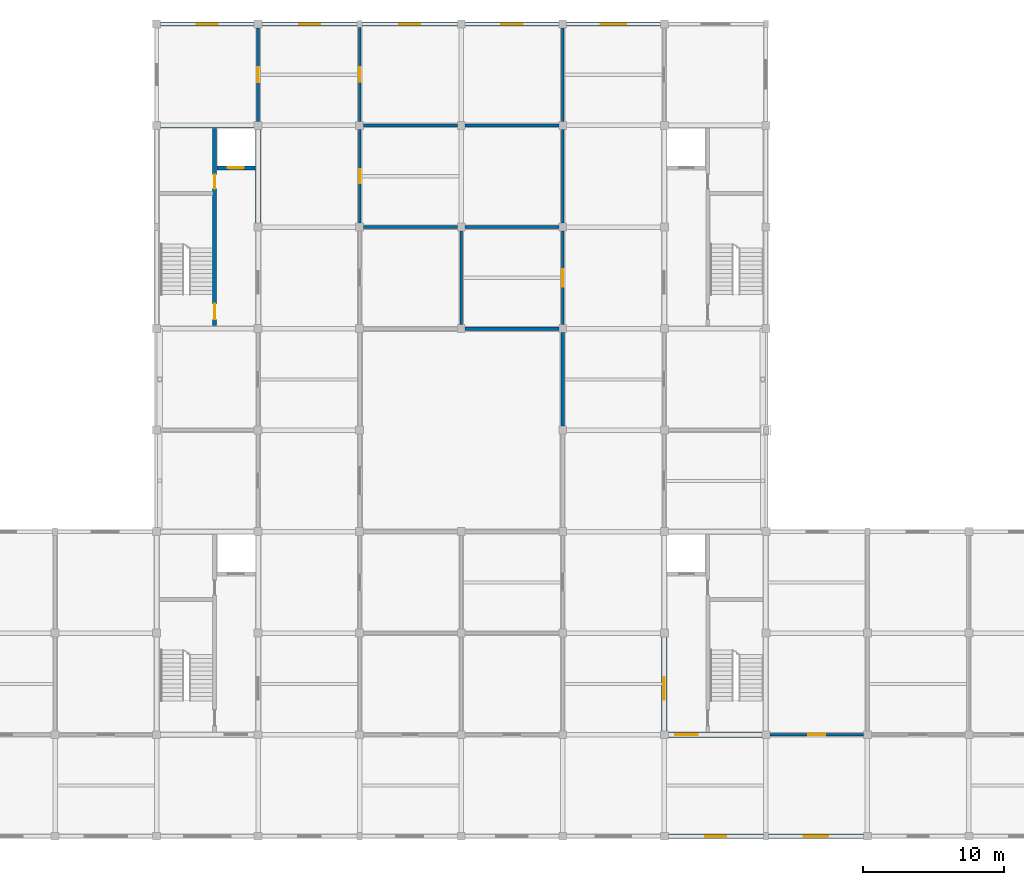
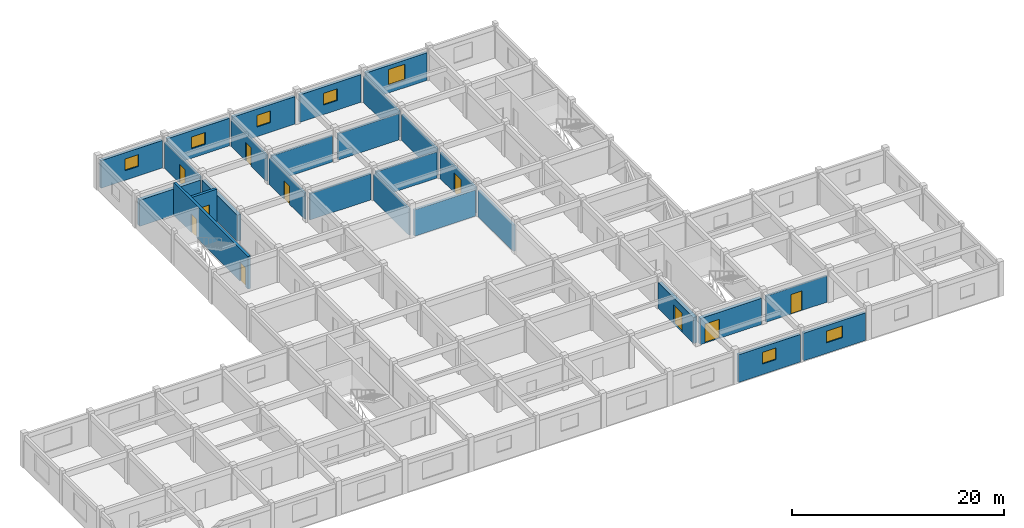
# One storey, part 7 of 10: 27 walls, 10 doors, 7 windows, 17 openings.
"""IFC4 building model written with IfcOpenShell, lengths in metres."""

from ifc_helpers import new_model, si_unit, direction, frame, frame_2d, origin, place, context, subcontext, project, spatial, rectangle, extrude, material, layer, layer_set, type_object, element, fill, save


model = new_model("IFC4")

# Units and contexts
model_context = context("Model", 3, precision=1e-05, world=origin(), true_north=direction((0.0, 1.0)))
body_context = subcontext(model_context, "Body", "Model", "MODEL_VIEW")
ifc_project = project(units=[si_unit("LENGTHUNIT", "METRE"), si_unit("AREAUNIT", "SQUARE_METRE"), si_unit("VOLUMEUNIT", "CUBIC_METRE"), si_unit("PLANEANGLEUNIT", "RADIAN"), si_unit("MASSUNIT", "GRAM", prefix="KILO")], contexts=[model_context])

# Site, building, storey
site_placement = place(None, origin())
site = spatial("IfcSite", under=ifc_project, at=site_placement, CompositionType="ELEMENT")
building_placement = place(site_placement, origin())
building = spatial("IfcBuilding", under=site, at=building_placement, Name="Cendaluz Park School", CompositionType="ELEMENT")
storey_placement = place(building_placement, frame((0.0, 0.0, 38.800048828125)))
storey = spatial("IfcBuildingStorey", under=building, at=storey_placement, Name="L09", CompositionType="ELEMENT", Elevation=38.800048828125)

# Walls
ifc_material_1 = material(Name="Gypsum Plasterboard on Cold-Formed Stud", Category="gypsum")
ifc_layer_1 = layer(ifc_material_1, 0.199951171875)
ifc_layer_set_1 = layer_set([ifc_layer_1], Name="Gypsum Plasterboard on Cold-Formed Stud")
wall_type_1 = type_object("IfcWallType", Name="W-AC20", PredefinedType="PARTITIONING", material=ifc_layer_set_1)
for number, where, z_axis, x_axis, name in (
    (1, (79.47998046875, 50.39990234375, 0.0), (0.0, 0.0, 1.0), (1.0, 0.0, 0.0), "WL-FJ-BM2"),
    (2, (79.47998046875, 57.60009765625, 0.0), (0.0, 0.0, 1.0), (1.0, 0.0, 0.0), "WL-FJ-BM3"),
):
    element("IfcWall", number, at=place(storey_placement, frame(where, z_axis=z_axis, x_axis=x_axis)), inside=storey, type_object=wall_type_1, Name=name, PredefinedType="PARTITIONING", context=body_context, shape_type="SweptSolid", body=[
        extrude(rectangle(XDim=6.64013671875, YDim=0.199951171875, at=frame_2d((3.320068359375, 0.0))), origin(), (0.0, 0.0, 1.0), 3.010009765625),
    ])

# Wall, opening, door
wall_1_placement = place(storey_placement, frame((79.199951171875, 50.679931640625, 0.0), z_axis=(0.0, 0.0, 1.0), x_axis=(0.0, 1.0, 0.0)))
wall_1 = element("IfcWall", 3, at=wall_1_placement, inside=storey, type_object=wall_type_1, Name="WL-FJ-BM4", PredefinedType="PARTITIONING", context=body_context, shape_type="SweptSolid", body=[
    extrude(rectangle(XDim=6.64013671875, YDim=0.199951171875, at=frame_2d((3.320068359375, 0.0))), origin(), (0.0, 0.0, 1.0), 3.010009765625),
])
opening_1_placement = place(wall_1_placement, frame((2.81005859375, 0.0, 0.0)))
opening_1 = element("IfcOpeningElement", 4, at=opening_1_placement, cuts=wall_1, Name="Opening DCL-02", PredefinedType="OPENING", context=body_context, shape_type="SweptSolid", body=[
    extrude(rectangle(XDim=1.02001953125, YDim=2.1201171875, at=frame_2d((0.510009765625, 1.06005859375))), frame((0.0, 0.112060546875, 0.0), z_axis=(0.0, -1.0, 0.0), x_axis=(1.0, 0.0, 0.0)), (0.0, 0.0, 1.0), 0.223876953125),
])
ifc_material_2 = material(Name="Solid Core Hardwood", Category="wood")
door_type_1 = type_object("IfcDoorType", Name="DCL-02", OperationType="NOTDEFINED", PredefinedType="DOOR", material=ifc_material_2)
door_1_placement = place(opening_1_placement, frame((1.02001953125, 0.0, 0.0), z_axis=(0.0, 0.0, 1.0), x_axis=(-1.0, 0.0, 0.0)))
door_1 = element("IfcDoor", 5, at=door_1_placement, inside=storey, type_object=door_type_1, Name="D-L09-020", OperationType="SINGLE_SWING_RIGHT", OverallHeight=2.1201171875, OverallWidth=1.02001953125, PredefinedType="DOOR", context=body_context, shape_type="SweptSolid", body=[
    extrude(rectangle(XDim=1.02001953125, YDim=2.1201171875, at=frame_2d((0.510009765625, 1.06005859375))), frame((0.0, 0.02490234375, 0.0), z_axis=(0.0, -1.0, 0.0), x_axis=(1.0, 0.0, 0.0)), (0.0, 0.0, 1.0), 0.050048828125),
])
fill(opening_1, door_1)

# Walls
for number, where, z_axis, x_axis, name in (
    (6, (86.679931640625, 50.39990234375, 0.0), (0.0, 0.0, 1.0), (1.0, 0.0, 0.0), "WL-FJ-BM5"),
    (7, (86.679931640625, 57.60009765625, 0.0), (0.0, 0.0, 1.0), (1.0, 0.0, 0.0), "WL-FJ-BM6"),
    (8, (93.60009765625, 50.679931640625, 0.0), (0.0, 0.0, 1.0), (0.0, 1.0, 0.0), "WL-FJ-BM7"),
):
    element("IfcWall", number, at=place(storey_placement, frame(where, z_axis=z_axis, x_axis=x_axis)), inside=storey, type_object=wall_type_1, Name=name, PredefinedType="PARTITIONING", context=body_context, shape_type="SweptSolid", body=[
        extrude(rectangle(XDim=6.64013671875, YDim=0.199951171875, at=frame_2d((3.320068359375, 0.0))), origin(), (0.0, 0.0, 1.0), 3.010009765625),
    ])

# Wall, opening, door
wall_2_placement = place(storey_placement, frame((79.199951171875, 57.8798828125, 0.0), z_axis=(0.0, 0.0, 1.0), x_axis=(0.0, 1.0, 0.0)))
wall_2 = element("IfcWall", 9, at=wall_2_placement, inside=storey, type_object=wall_type_1, Name="WL-FJ-BM8", PredefinedType="PARTITIONING", context=body_context, shape_type="SweptSolid", body=[
    extrude(rectangle(XDim=6.66015625, YDim=0.199951171875, at=frame_2d((3.330078125, 0.0))), origin(), (0.0, 0.0, 1.0), 3.010009765625),
])
opening_2_placement = place(wall_2_placement, frame((2.81005859375, 0.0, 0.0)))
opening_2 = element("IfcOpeningElement", 10, at=opening_2_placement, cuts=wall_2, Name="Opening DCL-03", PredefinedType="OPENING", context=body_context, shape_type="SweptSolid", body=[
    extrude(rectangle(XDim=1.0400390625, YDim=2.139892578125, at=frame_2d((0.52001953125, 1.06982421875))), frame((0.0, 0.112060546875, 0.0), z_axis=(0.0, -1.0, 0.0), x_axis=(1.0, 0.0, 0.0)), (0.0, 0.0, 1.0), 0.223876953125),
])
door_type_2 = type_object("IfcDoorType", Name="DCL-03", OperationType="NOTDEFINED", PredefinedType="DOOR", material=ifc_material_2)
door_2_placement = place(opening_2_placement, frame((1.0400390625, 0.0, 0.0), z_axis=(0.0, 0.0, 1.0), x_axis=(-1.0, 0.0, 0.0)))
door_2 = element("IfcDoor", 11, at=door_2_placement, inside=storey, type_object=door_type_2, Name="D-L09-021", OperationType="SINGLE_SWING_LEFT", OverallHeight=2.139892578125, OverallWidth=1.0400390625, PredefinedType="DOOR", context=body_context, shape_type="SweptSolid", body=[
    extrude(rectangle(XDim=1.0400390625, YDim=2.139892578125, at=frame_2d((0.52001953125, 1.06982421875))), frame((0.0, 0.02490234375, 0.0), z_axis=(0.0, -1.0, 0.0), x_axis=(1.0, 0.0, 0.0)), (0.0, 0.0, 1.0), 0.050048828125),
])
fill(opening_2, door_2)

# Wall
wall_3_placement = place(storey_placement, frame((93.60009765625, 57.8798828125, 0.0), z_axis=(0.0, 0.0, 1.0), x_axis=(0.0, 1.0, 0.0)))
element("IfcWall", 12, at=wall_3_placement, inside=storey, type_object=wall_type_1, Name="WL-FJ-BM9", PredefinedType="PARTITIONING", context=body_context, shape_type="SweptSolid", body=[
    extrude(rectangle(XDim=6.64013671875, YDim=0.199951171875, at=frame_2d((3.320068359375, 0.0))), origin(), (0.0, 0.0, 1.0), 3.010009765625),
])

# Wall, opening, door
wall_4_placement = place(storey_placement, frame((108.280029296875, 14.39990234375, 0.0), z_axis=(0.0, 0.0, 1.0), x_axis=(1.0, 0.0, 0.0)))
wall_4 = element("IfcWall", 13, at=wall_4_placement, inside=storey, type_object=wall_type_1, Name="WL-FJ-BO0", PredefinedType="PARTITIONING", context=body_context, shape_type="SweptSolid", body=[
    extrude(rectangle(XDim=6.639892578125, YDim=0.199951171875, at=frame_2d((3.31982421875, 0.0))), origin(), (0.0, 0.0, 1.0), 3.010009765625),
])
opening_3_placement = place(wall_4_placement, frame((2.719970703125, 0.0, 0.0)))
opening_3 = element("IfcOpeningElement", 14, at=opening_3_placement, cuts=wall_4, Name="Opening DCL-08", PredefinedType="OPENING", context=body_context, shape_type="SweptSolid", body=[
    extrude(rectangle(XDim=1.199951171875, YDim=2.239990234375, at=frame_2d((0.60009765625, 1.1201171875))), frame((0.0, 0.112060546875, 0.0), z_axis=(0.0, -1.0, 0.0), x_axis=(1.0, 0.0, 0.0)), (0.0, 0.0, 1.0), 0.223876953125),
])
door_type_3 = type_object("IfcDoorType", Name="DCL-08", OperationType="NOTDEFINED", PredefinedType="DOOR", material=ifc_material_2)
door_3_placement = place(opening_3_placement, origin())
door_3 = element("IfcDoor", 15, at=door_3_placement, inside=storey, type_object=door_type_3, Name="D-L09-026", OperationType="SINGLE_SWING_RIGHT", OverallHeight=2.239990234375, OverallWidth=1.199951171875, PredefinedType="DOOR", context=body_context, shape_type="SweptSolid", body=[
    extrude(rectangle(XDim=1.199951171875, YDim=2.239990234375, at=frame_2d((0.60009765625, 1.1201171875))), frame((0.0, 0.02490234375, 0.0), z_axis=(0.0, -1.0, 0.0), x_axis=(1.0, 0.0, 0.0)), (0.0, 0.0, 1.0), 0.050048828125),
])
fill(opening_3, door_3)

wall_5_placement = place(storey_placement, frame((72.0, 57.8798828125, 0.0), z_axis=(0.0, 0.0, 1.0), x_axis=(0.0, 1.0, 0.0)))
wall_5 = element("IfcWall", 16, at=wall_5_placement, inside=storey, type_object=wall_type_1, Name="WL-FJ-BP0", PredefinedType="PARTITIONING", context=body_context, shape_type="SweptSolid", body=[
    extrude(rectangle(XDim=6.64013671875, YDim=0.199951171875, at=frame_2d((3.320068359375, 0.0))), origin(), (0.0, 0.0, 1.0), 3.010009765625),
])
opening_4_placement = place(wall_5_placement, frame((2.800048828125, 0.0, 0.0)))
opening_4 = element("IfcOpeningElement", 17, at=opening_4_placement, cuts=wall_5, Name="Opening DCL-03", PredefinedType="OPENING", context=body_context, shape_type="SweptSolid", body=[
    extrude(rectangle(XDim=1.0400390625, YDim=2.139892578125, at=frame_2d((0.52001953125, 1.06982421875))), frame((0.0, 0.112060546875, 0.0), z_axis=(0.0, -1.0, 0.0), x_axis=(1.0, 0.0, 0.0)), (0.0, 0.0, 1.0), 0.223876953125),
])
door_4_placement = place(opening_4_placement, origin())
door_4 = element("IfcDoor", 18, at=door_4_placement, inside=storey, type_object=door_type_2, Name="D-L09-031", OperationType="SINGLE_SWING_LEFT", OverallHeight=2.139892578125, OverallWidth=1.0400390625, PredefinedType="DOOR", context=body_context, shape_type="SweptSolid", body=[
    extrude(rectangle(XDim=1.0400390625, YDim=2.139892578125, at=frame_2d((0.52001953125, 1.06982421875))), frame((0.0, 0.02490234375, 0.0), z_axis=(0.0, -1.0, 0.0), x_axis=(1.0, 0.0, 0.0)), (0.0, 0.0, 1.0), 0.050048828125),
])
fill(opening_4, door_4)

# Wall
wall_6_placement = place(storey_placement, frame((86.39990234375, 43.47998046875, 0.0), z_axis=(0.0, 0.0, 1.0), x_axis=(0.0, 1.0, 0.0)))
element("IfcWall", 19, at=wall_6_placement, inside=storey, type_object=wall_type_1, Name="WL-FJ-BP8", PredefinedType="PARTITIONING", context=body_context, shape_type="SweptSolid", body=[
    extrude(rectangle(XDim=6.64013671875, YDim=0.199951171875, at=frame_2d((3.320068359375, 0.0))), origin(), (0.0, 0.0, 1.0), 3.010009765625),
])

# Wall, opening, door
wall_7_placement = place(storey_placement, frame((93.60009765625, 43.47998046875, 0.0), z_axis=(0.0, 0.0, 1.0), x_axis=(0.0, 1.0, 0.0)))
wall_7 = element("IfcWall", 20, at=wall_7_placement, inside=storey, type_object=wall_type_1, Name="WL-FJ-BQ3", PredefinedType="PARTITIONING", context=body_context, shape_type="SweptSolid", body=[
    extrude(rectangle(XDim=6.64013671875, YDim=0.199951171875, at=frame_2d((3.320068359375, 0.0))), origin(), (0.0, 0.0, 1.0), 3.010009765625),
])
opening_5_placement = place(wall_7_placement, frame((2.699951171875, 0.0, 0.0)))
opening_5 = element("IfcOpeningElement", 21, at=opening_5_placement, cuts=wall_7, Name="Opening DCL-09", PredefinedType="OPENING", context=body_context, shape_type="SweptSolid", body=[
    extrude(rectangle(XDim=1.239990234375, YDim=2.260009765625, at=frame_2d((0.6201171875, 1.1298828125))), frame((0.0, 0.112060546875, 0.0), z_axis=(0.0, -1.0, 0.0), x_axis=(1.0, 0.0, 0.0)), (0.0, 0.0, 1.0), 0.223876953125),
])
door_type_4 = type_object("IfcDoorType", Name="DCL-09", OperationType="NOTDEFINED", PredefinedType="DOOR", material=ifc_material_2)
door_5_placement = place(opening_5_placement, origin())
door_5 = element("IfcDoor", 22, at=door_5_placement, inside=storey, type_object=door_type_4, Name="D-L09-037", OperationType="SINGLE_SWING_LEFT", OverallHeight=2.260009765625, OverallWidth=1.239990234375, PredefinedType="DOOR", context=body_context, shape_type="SweptSolid", body=[
    extrude(rectangle(XDim=1.239990234375, YDim=2.260009765625, at=frame_2d((0.6201171875, 1.1298828125))), frame((0.0, 0.02490234375, 0.0), z_axis=(0.0, -1.0, 0.0), x_axis=(1.0, 0.0, 0.0)), (0.0, 0.0, 1.0), 0.050048828125),
])
fill(opening_5, door_5)

# Walls
ifc_layer_2 = layer(ifc_material_1, 0.25)
ifc_layer_set_2 = layer_set([ifc_layer_2], Name="Gypsum Plasterboard on Cold-Formed Stud")
wall_type_2 = type_object("IfcWallType", Name="W-CP25", PredefinedType="PARTITIONING", material=ifc_layer_set_2)
wall_8_placement = place(storey_placement, frame((86.679931640625, 43.199951171875, 0.0), z_axis=(0.0, 0.0, 1.0), x_axis=(1.0, 0.0, 0.0)))
element("IfcWall", 23, at=wall_8_placement, inside=storey, type_object=wall_type_2, Name="WL-FJ-BM0", PredefinedType="PARTITIONING", context=body_context, shape_type="SweptSolid", body=[
    extrude(rectangle(XDim=6.64013671875, YDim=0.25, at=frame_2d((3.320068359375, 0.0))), origin(), (0.0, 0.0, 1.0), 3.010009765625),
])
wall_9_placement = place(storey_placement, frame((93.60009765625, 36.280029296875, 0.0), z_axis=(0.0, 0.0, 1.0), x_axis=(0.0, 1.0, 0.0)))
element("IfcWall", 24, at=wall_9_placement, inside=storey, type_object=wall_type_2, Name="WL-FJ-BM1", PredefinedType="PARTITIONING", context=body_context, shape_type="SweptSolid", body=[
    extrude(rectangle(XDim=6.639892578125, YDim=0.25, at=frame_2d((3.31982421875, 0.0))), origin(), (0.0, 0.0, 1.0), 3.010009765625),
])

# Wall, opening, window
ifc_material_3 = material(Name="Cross-laminated timber CLT C24", Category="wood")
ifc_layer_3 = layer(ifc_material_3, 0.300048828125)
ifc_layer_set_3 = layer_set([ifc_layer_3], Name="Cross-laminated timber CLT C24")
wall_type_3 = type_object("IfcWallType", Name="W-EX30", PredefinedType="SOLIDWALL", material=ifc_layer_set_3)
wall_10_placement = place(storey_placement, frame((65.080078125, 64.800048828125, 0.0), z_axis=(0.0, 0.0, 1.0), x_axis=(1.0, 0.0, 0.0)))
wall_10 = element("IfcWall", 25, at=wall_10_placement, inside=storey, type_object=wall_type_3, Name="WL-FJ-AB4", PredefinedType="SOLIDWALL", context=body_context, shape_type="SweptSolid", body=[
    extrude(rectangle(XDim=6.639892578125, YDim=0.300048828125, at=frame_2d((3.31982421875, 0.0))), origin(), (0.0, 0.0, 1.0), 3.169921875),
])
opening_6_placement = place(wall_10_placement, frame((2.570068359375, 0.0, 1.10009765625)))
opening_6 = element("IfcOpeningElement", 26, at=opening_6_placement, cuts=wall_10, Name="Opening WN-20", PredefinedType="OPENING", context=body_context, shape_type="SweptSolid", body=[
    extrude(rectangle(XDim=1.5, YDim=1.35009765625, at=frame_2d((0.75, 0.675048828125))), frame((0.0, 0.162109375, 0.0), z_axis=(0.0, -1.0, 0.0), x_axis=(1.0, 0.0, 0.0)), (0.0, 0.0, 1.0), 0.323974609375),
])
ifc_material_4 = material(Name="Tempered Low-E Double Glazing", Category="glass")
window_type_1 = type_object("IfcWindowType", Name="WN-20", PartitioningType="SINGLE_PANEL", PredefinedType="WINDOW", material=ifc_material_4)
window_1_placement = place(opening_6_placement, origin())
window_1 = element("IfcWindow", 27, at=window_1_placement, inside=storey, type_object=window_type_1, Name="WN-L09-013", OverallHeight=1.35009765625, OverallWidth=1.5, PartitioningType="SINGLE_PANEL", PredefinedType="WINDOW", context=body_context, shape_type="SweptSolid", body=[
    extrude(rectangle(XDim=1.5, YDim=1.35009765625, at=frame_2d((0.75, 0.675048828125))), frame((0.0, 0.030029296875, 0.0), z_axis=(0.0, -1.0, 0.0), x_axis=(1.0, 0.0, 0.0)), (0.0, 0.0, 1.0), 0.06005859375),
])
fill(opening_6, window_1)

wall_11_placement = place(storey_placement, frame((72.280029296875, 64.800048828125, 0.0), z_axis=(0.0, 0.0, 1.0), x_axis=(1.0, 0.0, 0.0)))
wall_11 = element("IfcWall", 28, at=wall_11_placement, inside=storey, type_object=wall_type_3, Name="WL-FJ-AB7", PredefinedType="SOLIDWALL", context=body_context, shape_type="SweptSolid", body=[
    extrude(rectangle(XDim=6.739990234375, YDim=0.300048828125, at=frame_2d((3.3701171875, 0.0))), origin(), (0.0, 0.0, 1.0), 3.169921875),
])
opening_7_placement = place(wall_11_placement, frame((2.6201171875, 0.0, 1.10009765625)))
opening_7 = element("IfcOpeningElement", 29, at=opening_7_placement, cuts=wall_11, Name="Opening WN-20", PredefinedType="OPENING", context=body_context, shape_type="SweptSolid", body=[
    extrude(rectangle(XDim=1.5, YDim=1.35009765625, at=frame_2d((0.75, 0.675048828125))), frame((0.0, 0.162109375, 0.0), z_axis=(0.0, -1.0, 0.0), x_axis=(1.0, 0.0, 0.0)), (0.0, 0.0, 1.0), 0.323974609375),
])
window_2_placement = place(opening_7_placement, origin())
window_2 = element("IfcWindow", 30, at=window_2_placement, inside=storey, type_object=window_type_1, Name="WN-L09-016", OverallHeight=1.35009765625, OverallWidth=1.5, PartitioningType="SINGLE_PANEL", PredefinedType="WINDOW", context=body_context, shape_type="SweptSolid", body=[
    extrude(rectangle(XDim=1.5, YDim=1.35009765625, at=frame_2d((0.75, 0.675048828125))), frame((0.0, 0.030029296875, 0.0), z_axis=(0.0, -1.0, 0.0), x_axis=(1.0, 0.0, 0.0)), (0.0, 0.0, 1.0), 0.06005859375),
])
fill(opening_7, window_2)

wall_12_placement = place(storey_placement, frame((79.3798828125, 64.800048828125, 0.0), z_axis=(0.0, 0.0, 1.0), x_axis=(1.0, 0.0, 0.0)))
wall_12 = element("IfcWall", 31, at=wall_12_placement, inside=storey, type_object=wall_type_3, Name="WL-FJ-AB9", PredefinedType="SOLIDWALL", context=body_context, shape_type="SweptSolid", body=[
    extrude(rectangle(XDim=6.740234375, YDim=0.300048828125, at=frame_2d((3.3701171875, 0.0))), origin(), (0.0, 0.0, 1.0), 3.169921875),
])
opening_8_placement = place(wall_12_placement, frame((2.6201171875, 0.0, 1.10009765625)))
opening_8 = element("IfcOpeningElement", 32, at=opening_8_placement, cuts=wall_12, Name="Opening WN-20", PredefinedType="OPENING", context=body_context, shape_type="SweptSolid", body=[
    extrude(rectangle(XDim=1.5, YDim=1.35009765625, at=frame_2d((0.75, 0.675048828125))), frame((0.0, 0.162109375, 0.0), z_axis=(0.0, -1.0, 0.0), x_axis=(1.0, 0.0, 0.0)), (0.0, 0.0, 1.0), 0.323974609375),
])
window_3_placement = place(opening_8_placement, origin())
window_3 = element("IfcWindow", 33, at=window_3_placement, inside=storey, type_object=window_type_1, Name="WN-L09-018", OverallHeight=1.35009765625, OverallWidth=1.5, PartitioningType="SINGLE_PANEL", PredefinedType="WINDOW", context=body_context, shape_type="SweptSolid", body=[
    extrude(rectangle(XDim=1.5, YDim=1.35009765625, at=frame_2d((0.75, 0.675048828125))), frame((0.0, 0.030029296875, 0.0), z_axis=(0.0, -1.0, 0.0), x_axis=(1.0, 0.0, 0.0)), (0.0, 0.0, 1.0), 0.06005859375),
])
fill(opening_8, window_3)

wall_13_placement = place(storey_placement, frame((86.679931640625, 64.800048828125, 0.0), z_axis=(0.0, 0.0, 1.0), x_axis=(1.0, 0.0, 0.0)))
wall_13 = element("IfcWall", 34, at=wall_13_placement, inside=storey, type_object=wall_type_3, Name="WL-FJ-AC1", PredefinedType="SOLIDWALL", context=body_context, shape_type="SweptSolid", body=[
    extrude(rectangle(XDim=6.64013671875, YDim=0.300048828125, at=frame_2d((3.320068359375, 0.0))), origin(), (0.0, 0.0, 1.0), 3.169921875),
])
opening_9_placement = place(wall_13_placement, frame((2.570068359375, 0.0, 1.10009765625)))
opening_9 = element("IfcOpeningElement", 35, at=opening_9_placement, cuts=wall_13, Name="Opening WN-20", PredefinedType="OPENING", context=body_context, shape_type="SweptSolid", body=[
    extrude(rectangle(XDim=1.5, YDim=1.35009765625, at=frame_2d((0.75, 0.675048828125))), frame((0.0, 0.162109375, 0.0), z_axis=(0.0, -1.0, 0.0), x_axis=(1.0, 0.0, 0.0)), (0.0, 0.0, 1.0), 0.323974609375),
])
window_4_placement = place(opening_9_placement, origin())
window_4 = element("IfcWindow", 36, at=window_4_placement, inside=storey, type_object=window_type_1, Name="WN-L09-020", OverallHeight=1.35009765625, OverallWidth=1.5, PartitioningType="SINGLE_PANEL", PredefinedType="WINDOW", context=body_context, shape_type="SweptSolid", body=[
    extrude(rectangle(XDim=1.5, YDim=1.35009765625, at=frame_2d((0.75, 0.675048828125))), frame((0.0, 0.030029296875, 0.0), z_axis=(0.0, -1.0, 0.0), x_axis=(1.0, 0.0, 0.0)), (0.0, 0.0, 1.0), 0.06005859375),
])
fill(opening_9, window_4)

wall_14_placement = place(storey_placement, frame((93.8798828125, 64.800048828125, 0.0), z_axis=(0.0, 0.0, 1.0), x_axis=(1.0, 0.0, 0.0)))
wall_14 = element("IfcWall", 37, at=wall_14_placement, inside=storey, type_object=wall_type_3, Name="WL-FJ-AC3", PredefinedType="SOLIDWALL", context=body_context, shape_type="SweptSolid", body=[
    extrude(rectangle(XDim=6.64013671875, YDim=0.300048828125, at=frame_2d((3.320068359375, 0.0))), origin(), (0.0, 0.0, 1.0), 3.169921875),
])
opening_10_placement = place(wall_14_placement, frame((2.419921875, 0.0, 0.89990234375)))
opening_10 = element("IfcOpeningElement", 38, at=opening_10_placement, cuts=wall_14, Name="Opening WN-01", PredefinedType="OPENING", context=body_context, shape_type="SweptSolid", body=[
    extrude(rectangle(XDim=1.800048828125, YDim=1.800048828125, at=frame_2d((0.89990234375, 0.89990234375))), frame((0.0, 0.162109375, 0.0), z_axis=(0.0, -1.0, 0.0), x_axis=(1.0, 0.0, 0.0)), (0.0, 0.0, 1.0), 0.323974609375),
])
window_type_2 = type_object("IfcWindowType", Name="WN-01", PartitioningType="SINGLE_PANEL", PredefinedType="WINDOW", material=ifc_material_4)
window_5_placement = place(opening_10_placement, origin())
window_5 = element("IfcWindow", 39, at=window_5_placement, inside=storey, type_object=window_type_2, Name="WN-L09-022", OverallHeight=1.800048828125, OverallWidth=1.800048828125, PartitioningType="SINGLE_PANEL", PredefinedType="WINDOW", context=body_context, shape_type="SweptSolid", body=[
    extrude(rectangle(XDim=1.800048828125, YDim=1.800048828125, at=frame_2d((0.89990234375, 0.89990234375))), frame((0.0, 0.030029296875, 0.0), z_axis=(0.0, -1.0, 0.0), x_axis=(1.0, 0.0, 0.0)), (0.0, 0.0, 1.0), 0.06005859375),
])
fill(opening_10, window_5)

wall_15_placement = place(storey_placement, frame((101.080078125, 7.199951171875, 0.0), z_axis=(0.0, 0.0, 1.0), x_axis=(1.0, 0.0, 0.0)))
wall_15 = element("IfcWall", 40, at=wall_15_placement, inside=storey, type_object=wall_type_3, Name="WL-FJ-AC4", PredefinedType="SOLIDWALL", context=body_context, shape_type="SweptSolid", body=[
    extrude(rectangle(XDim=6.739990234375, YDim=0.300048828125, at=frame_2d((3.3701171875, 0.0))), origin(), (0.0, 0.0, 1.0), 3.169921875),
])
opening_11_placement = place(wall_15_placement, frame((2.6201171875, 0.0, 1.199951171875)))
opening_11 = element("IfcOpeningElement", 41, at=opening_11_placement, cuts=wall_15, Name="Opening WN-20", PredefinedType="OPENING", context=body_context, shape_type="SweptSolid", body=[
    extrude(rectangle(XDim=1.5, YDim=1.35009765625, at=frame_2d((0.75, 0.675048828125))), frame((0.0, 0.162109375, 0.0), z_axis=(0.0, -1.0, 0.0), x_axis=(1.0, 0.0, 0.0)), (0.0, 0.0, 1.0), 0.323974609375),
])
window_6_placement = place(opening_11_placement, origin())
window_6 = element("IfcWindow", 42, at=window_6_placement, inside=storey, type_object=window_type_1, Name="WN-L09-023", OverallHeight=1.35009765625, OverallWidth=1.5, PartitioningType="SINGLE_PANEL", PredefinedType="WINDOW", context=body_context, shape_type="SweptSolid", body=[
    extrude(rectangle(XDim=1.5, YDim=1.35009765625, at=frame_2d((0.75, 0.675048828125))), frame((0.0, 0.030029296875, 0.0), z_axis=(0.0, -1.0, 0.0), x_axis=(1.0, 0.0, 0.0)), (0.0, 0.0, 1.0), 0.06005859375),
])
fill(opening_11, window_6)

wall_16_placement = place(storey_placement, frame((108.179931640625, 7.199951171875, 0.0), z_axis=(0.0, 0.0, 1.0), x_axis=(1.0, 0.0, 0.0)))
wall_16 = element("IfcWall", 43, at=wall_16_placement, inside=storey, type_object=wall_type_3, Name="WL-FJ-AC9", PredefinedType="SOLIDWALL", context=body_context, shape_type="SweptSolid", body=[
    extrude(rectangle(XDim=6.739990234375, YDim=0.300048828125, at=frame_2d((3.3701171875, 0.0))), origin(), (0.0, 0.0, 1.0), 3.169921875),
])
opening_12_placement = place(wall_16_placement, frame((2.4951171875, 0.0, 1.199951171875)))
opening_12 = element("IfcOpeningElement", 44, at=opening_12_placement, cuts=wall_16, Name="Opening WN-21", PredefinedType="OPENING", context=body_context, shape_type="SweptSolid", body=[
    extrude(rectangle(XDim=1.75, YDim=1.35009765625, at=frame_2d((0.875, 0.675048828125))), frame((0.0, 0.162109375, 0.0), z_axis=(0.0, -1.0, 0.0), x_axis=(1.0, 0.0, 0.0)), (0.0, 0.0, 1.0), 0.323974609375),
])
window_type_3 = type_object("IfcWindowType", Name="WN-21", PartitioningType="SINGLE_PANEL", PredefinedType="WINDOW", material=ifc_material_4)
window_7_placement = place(opening_12_placement, origin())
window_7 = element("IfcWindow", 45, at=window_7_placement, inside=storey, type_object=window_type_3, Name="WN-L09-026", OverallHeight=1.35009765625, OverallWidth=1.75, PartitioningType="SINGLE_PANEL", PredefinedType="WINDOW", context=body_context, shape_type="SweptSolid", body=[
    extrude(rectangle(XDim=1.75, YDim=1.35009765625, at=frame_2d((0.875, 0.675048828125))), frame((0.0, 0.030029296875, 0.0), z_axis=(0.0, -1.0, 0.0), x_axis=(1.0, 0.0, 0.0)), (0.0, 0.0, 1.0), 0.06005859375),
])
fill(opening_12, window_7)

# Wall, openings, doors
ifc_material_5 = material(Name="Concrete C40/50", Category="concrete")
ifc_layer_4 = layer(ifc_material_5, 0.280029296875)
ifc_layer_set_4 = layer_set([ifc_layer_4], Name="Concrete C40/50")
wall_type_4 = type_object("IfcWallType", Name="W-FW28", PredefinedType="SHEAR", material=ifc_layer_set_4)
wall_17_placement = place(storey_placement, frame((68.919921875, 43.39990234375, 0.0), z_axis=(0.0, 0.0, 1.0), x_axis=(0.0, 1.0, 0.0)))
wall_17 = element("IfcWall", 46, at=wall_17_placement, inside=storey, type_object=wall_type_4, Name="WL-FJ-BK2", PredefinedType="SHEAR", context=body_context, shape_type="SweptSolid", body=[
    extrude(rectangle(XDim=14.0, YDim=0.280029296875, at=frame_2d((7.0, 0.0))), origin(), (0.0, 0.0, 1.0), 3.739990234375),
])
opening_13_placement = place(wall_17_placement, frame((0.449951171875, 0.0, 0.0)))
opening_13 = element("IfcOpeningElement", 47, at=opening_13_placement, cuts=wall_17, Name="Opening DST-01", PredefinedType="OPENING", context=body_context, shape_type="SweptSolid", body=[
    extrude(rectangle(XDim=1.10009765625, YDim=2.14990234375, at=frame_2d((0.550048828125, 1.074951171875))), frame((0.0, 0.152099609375, 0.0), z_axis=(0.0, -1.0, 0.0), x_axis=(1.0, 0.0, 0.0)), (0.0, 0.0, 1.0), 0.303955078125),
])
opening_14_placement = place(wall_17_placement, frame((9.719970703125, 0.0, 0.0)))
opening_14 = element("IfcOpeningElement", 48, at=opening_14_placement, cuts=wall_17, Name="Opening DFC-01", PredefinedType="OPENING", context=body_context, shape_type="SweptSolid", body=[
    extrude(rectangle(XDim=1.0, YDim=2.14990234375, at=frame_2d((0.5, 1.074951171875))), frame((0.0, 0.152099609375, 0.0), z_axis=(0.0, -1.0, 0.0), x_axis=(1.0, 0.0, 0.0)), (0.0, 0.0, 1.0), 0.303955078125),
])
door_type_5 = type_object("IfcDoorType", Name="DFC-01", OperationType="NOTDEFINED", PredefinedType="DOOR", material=ifc_material_2)
door_6_placement = place(opening_14_placement, origin())
door_6 = element("IfcDoor", 49, at=door_6_placement, inside=storey, type_object=door_type_5, Name="D-L09-013", OperationType="SINGLE_SWING_LEFT", OverallHeight=2.14990234375, OverallWidth=1.0, PredefinedType="DOOR", context=body_context, shape_type="SweptSolid", body=[
    extrude(rectangle(XDim=1.0, YDim=2.14990234375, at=frame_2d((0.5, 1.074951171875))), frame((0.0, 0.02490234375, 0.0), z_axis=(0.0, -1.0, 0.0), x_axis=(1.0, 0.0, 0.0)), (0.0, 0.0, 1.0), 0.050048828125),
])
fill(opening_14, door_6)
door_type_6 = type_object("IfcDoorType", Name="DST-01", OperationType="NOTDEFINED", PredefinedType="DOOR", material=ifc_material_2)
door_7_placement = place(opening_13_placement, origin())
door_7 = element("IfcDoor", 50, at=door_7_placement, inside=storey, type_object=door_type_6, Name="D-L09-012", OperationType="SINGLE_SWING_LEFT", OverallHeight=2.14990234375, OverallWidth=1.10009765625, PredefinedType="DOOR", context=body_context, shape_type="SweptSolid", body=[
    extrude(rectangle(XDim=1.10009765625, YDim=2.14990234375, at=frame_2d((0.550048828125, 1.074951171875))), frame((0.0, 0.02490234375, 0.0), z_axis=(0.0, -1.0, 0.0), x_axis=(1.0, 0.0, 0.0)), (0.0, 0.0, 1.0), 0.050048828125),
])
fill(opening_13, door_7)

# Wall, opening, door
wall_18_placement = place(storey_placement, frame((69.080078125, 54.60009765625, 0.0), z_axis=(0.0, 0.0, 1.0), x_axis=(1.0, 0.0, 0.0)))
wall_18 = element("IfcWall", 51, at=wall_18_placement, inside=storey, type_object=wall_type_4, Name="WL-FJ-BK4", PredefinedType="SHEAR", context=body_context, shape_type="SweptSolid", body=[
    extrude(rectangle(XDim=2.679931640625, YDim=0.280029296875, at=frame_2d((1.33984375, 0.0))), origin(), (0.0, 0.0, 1.0), 3.739990234375),
])
opening_15_placement = place(wall_18_placement, frame((0.764892578125, 0.0, 0.0)))
opening_15 = element("IfcOpeningElement", 52, at=opening_15_placement, cuts=wall_18, Name="Opening LD-01", PredefinedType="OPENING", context=body_context, shape_type="SweptSolid", body=[
    extrude(rectangle(XDim=1.14990234375, YDim=2.199951171875, at=frame_2d((0.574951171875, 1.10009765625))), frame((0.0, 0.152099609375, 0.0), z_axis=(0.0, -1.0, 0.0), x_axis=(1.0, 0.0, 0.0)), (0.0, 0.0, 1.0), 0.303955078125),
])
ifc_material_6 = material(Name="Stainless Steel 316L", Category="steel")
door_type_7 = type_object("IfcDoorType", Name="LD-01", OperationType="DOUBLE_DOOR_SLIDING", PredefinedType="DOOR", material=ifc_material_6)
door_8_placement = place(opening_15_placement, frame((1.14990234375, 0.0, 0.0), z_axis=(0.0, 0.0, 1.0), x_axis=(-1.0, 0.0, 0.0)))
door_8 = element("IfcDoor", 53, at=door_8_placement, inside=storey, type_object=door_type_7, Name="D-L09-014", OperationType="DOUBLE_DOOR_SLIDING", OverallHeight=2.199951171875, OverallWidth=1.14990234375, PredefinedType="DOOR", context=body_context, shape_type="SweptSolid", body=[
    extrude(rectangle(XDim=1.14990234375, YDim=2.199951171875, at=frame_2d((0.574951171875, 1.10009765625))), frame((0.0, 0.02490234375, 0.0), z_axis=(0.0, -1.0, 0.0), x_axis=(1.0, 0.0, 0.0)), (0.0, 0.0, 1.0), 0.050048828125),
])
fill(opening_15, door_8)

ifc_layer_5 = layer(ifc_material_5, 0.3798828125)
ifc_layer_set_5 = layer_set([ifc_layer_5], Name="Concrete C40/50")
wall_type_5 = type_object("IfcWallType", Name="W-SH38", PredefinedType="SHEAR", material=ifc_layer_set_5)
wall_19_placement = place(storey_placement, frame((100.800048828125, 14.679931640625, 0.0), z_axis=(0.0, 0.0, 1.0), x_axis=(0.0, 1.0, 0.0)))
wall_19 = element("IfcWall", 54, at=wall_19_placement, inside=storey, type_object=wall_type_5, Name="WL-FJ-BI7", PredefinedType="SHEAR", context=body_context, shape_type="SweptSolid", body=[
    extrude(rectangle(XDim=6.64013671875, YDim=0.3798828125, at=frame_2d((3.320068359375, 0.0))), origin(), (0.0, 0.0, 1.0), 3.010009765625),
])
opening_16_placement = place(wall_19_placement, frame((2.199951171875, 0.0, 0.0)))
opening_16 = element("IfcOpeningElement", 55, at=opening_16_placement, cuts=wall_19, Name="Opening DLB-01", PredefinedType="OPENING", context=body_context, shape_type="SweptSolid", body=[
    extrude(rectangle(XDim=1.60009765625, YDim=2.199951171875, at=frame_2d((0.800048828125, 1.10009765625))), frame((0.0, 0.201904296875, 0.0), z_axis=(0.0, -1.0, 0.0), x_axis=(1.0, 0.0, 0.0)), (0.0, 0.0, 1.0), 0.40380859375),
])
door_type_8 = type_object("IfcDoorType", Name="DLB-01", OperationType="DOUBLE_DOOR_SINGLE_SWING", PredefinedType="DOOR", material=ifc_material_2)
door_9_placement = place(opening_16_placement, frame((1.60009765625, 0.0, 0.0), z_axis=(0.0, 0.0, 1.0), x_axis=(-1.0, 0.0, 0.0)))
door_9 = element("IfcDoor", 56, at=door_9_placement, inside=storey, type_object=door_type_8, Name="D-L09-006", OperationType="DOUBLE_DOOR_SINGLE_SWING", OverallHeight=2.199951171875, OverallWidth=1.60009765625, PredefinedType="DOOR", context=body_context, shape_type="SweptSolid", body=[
    extrude(rectangle(XDim=1.60009765625, YDim=2.199951171875, at=frame_2d((0.800048828125, 1.10009765625))), frame((0.0, 0.02490234375, 0.0), z_axis=(0.0, -1.0, 0.0), x_axis=(1.0, 0.0, 0.0)), (0.0, 0.0, 1.0), 0.050048828125),
])
fill(opening_16, door_9)

wall_20_placement = place(storey_placement, frame((101.080078125, 14.39990234375, 0.0), z_axis=(0.0, 0.0, 1.0), x_axis=(1.0, 0.0, 0.0)))
wall_20 = element("IfcWall", 57, at=wall_20_placement, inside=storey, type_object=wall_type_5, Name="WL-FJ-BJ1", PredefinedType="SHEAR", context=body_context, shape_type="SweptSolid", body=[
    extrude(rectangle(XDim=6.639892578125, YDim=0.3798828125, at=frame_2d((3.31982421875, 0.0))), origin(), (0.0, 0.0, 1.0), 3.010009765625),
])
opening_17_placement = place(wall_20_placement, frame((0.5, 0.0, 0.0)))
opening_17 = element("IfcOpeningElement", 58, at=opening_17_placement, cuts=wall_20, Name="Opening DLB-01", PredefinedType="OPENING", context=body_context, shape_type="SweptSolid", body=[
    extrude(rectangle(XDim=1.60009765625, YDim=2.199951171875, at=frame_2d((0.800048828125, 1.10009765625))), frame((0.0, 0.201904296875, 0.0), z_axis=(0.0, -1.0, 0.0), x_axis=(1.0, 0.0, 0.0)), (0.0, 0.0, 1.0), 0.40380859375),
])
door_10_placement = place(opening_17_placement, origin())
door_10 = element("IfcDoor", 59, at=door_10_placement, inside=storey, type_object=door_type_8, Name="D-L09-007", OperationType="DOUBLE_DOOR_SINGLE_SWING", OverallHeight=2.199951171875, OverallWidth=1.60009765625, PredefinedType="DOOR", context=body_context, shape_type="SweptSolid", body=[
    extrude(rectangle(XDim=1.60009765625, YDim=2.199951171875, at=frame_2d((0.800048828125, 1.10009765625))), frame((0.0, 0.02490234375, 0.0), z_axis=(0.0, -1.0, 0.0), x_axis=(1.0, 0.0, 0.0)), (0.0, 0.0, 1.0), 0.050048828125),
])
fill(opening_17, door_10)

# Walls
wall_21_placement = place(storey_placement, frame((72.0, 50.679931640625, 0.0), z_axis=(0.0, 0.0, 1.0), x_axis=(0.0, 1.0, 0.0)))
element("IfcWall", 60, at=wall_21_placement, inside=storey, type_object=wall_type_5, Name="WL-FJ-BJ9", PredefinedType="SHEAR", context=body_context, shape_type="SweptSolid", body=[
    extrude(rectangle(XDim=6.64013671875, YDim=0.3798828125, at=frame_2d((3.320068359375, 0.0))), origin(), (0.0, 0.0, 1.0), 3.010009765625),
])
wall_22_placement = place(storey_placement, frame((65.080078125, 57.60009765625, 0.0), z_axis=(0.0, 0.0, 1.0), x_axis=(1.0, 0.0, 0.0)))
element("IfcWall", 61, at=wall_22_placement, inside=storey, type_object=wall_type_5, Name="WL-FJ-BK1", PredefinedType="SHEAR", context=body_context, shape_type="SweptSolid", body=[
    extrude(rectangle(XDim=6.639892578125, YDim=0.3798828125, at=frame_2d((3.31982421875, 0.0))), origin(), (0.0, 0.0, 1.0), 3.010009765625),
])

save(model, "model.ifc")
